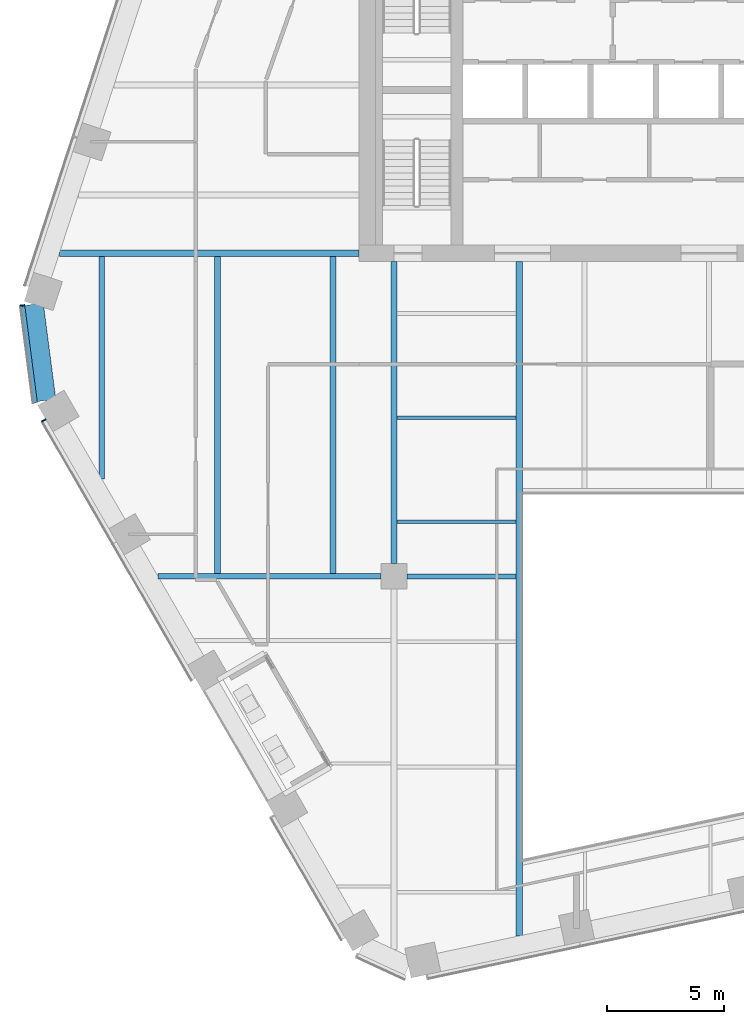
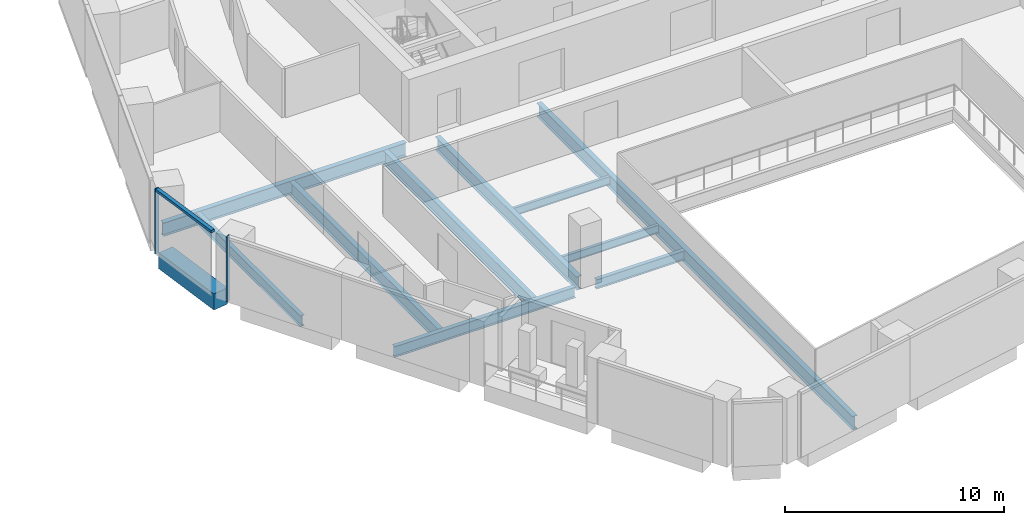
# One storey, part 4 of 26: 11 beams, 3 members, 2 elements without a shape of their own.
"""IFC4 building model written with IfcOpenShell, lengths in metres."""

import ifcopenshell
import ifcopenshell.guid

model = None  # the IFC model being written
_history = None  # IfcOwnerHistory: only IFC2X3 demands one
_inside = {}  # id of a spatial element -> (the spatial element, [elements in it])
_under = {}  # id of a project, library or spatial element -> (it, [spatial elements below it])
_declared = {}  # id of a project -> (the project, [libraries it declares])
_typed = {}  # id of a type object -> (the type object, [elements of that type])
_made_of = {}  # id of a material, layer set ... -> (it, [elements and type objects made of it])


def new_model(schema):
    """Start an empty IFC model of exactly this schema.

    Asked for "IFC4X3", IfcOpenShell would pick the latest addendum, in which some entities
    have other attributes; the version numbers below select the first issue.
    IFC2X3 requires an IfcOwnerHistory on every rooted entity: one is made here for all.
    """
    global model, _history
    if schema == "IFC4X3":
        model = ifcopenshell.file(schema_version=(4, 3, 0, 0))
    else:
        model = ifcopenshell.file(schema=schema)
    _inside.clear()
    _under.clear()
    _declared.clear()
    _typed.clear()
    _made_of.clear()
    _history = None
    if model.schema == "IFC2X3":
        org = make("IfcOrganization", Name="unknown")
        user = make(
            "IfcPersonAndOrganization",
            ThePerson=make("IfcPerson", FamilyName="unknown"),
            TheOrganization=org,
        )
        app = make(
            "IfcApplication",
            ApplicationDeveloper=org,
            Version="unknown",
            ApplicationFullName="unknown",
            ApplicationIdentifier="unknown",
        )
        _history = make(
            "IfcOwnerHistory",
            OwningUser=user,
            OwningApplication=app,
            ChangeAction="ADDED",
            CreationDate=0,
        )
    return model


def make(cls, **values):
    """One entity of the class cls with the attributes given. An attribute that is None is left unset."""
    return model.create_entity(
        cls, **{name: value for name, value in values.items() if value is not None}
    )


def rooted(cls, **values):
    """An entity with a GlobalId (a new one), such as an element, a storey or a relation."""
    return make(cls, GlobalId=ifcopenshell.guid.new(), OwnerHistory=_history, **values)


def si_unit(unit_type, name, prefix=None):
    """IfcSIUnit, for example si_unit("LENGTHUNIT", "METRE", prefix="MILLI")."""
    return make("IfcSIUnit", UnitType=unit_type, Prefix=prefix, Name=name)


def assignment(units):
    """IfcUnitAssignment: the units of a project."""
    return None if units is None else make("IfcUnitAssignment", Units=units)


def point(xyz):
    """IfcCartesianPoint."""
    return None if xyz is None else make("IfcCartesianPoint", Coordinates=xyz)


def direction(xyz):
    """IfcDirection."""
    return None if xyz is None else make("IfcDirection", DirectionRatios=xyz)


def frame(location, z_axis=None, x_axis=None):
    """IfcAxis2Placement3D, a coordinate frame: its origin and axes. An axis left out is left unset."""
    return make(
        "IfcAxis2Placement3D",
        Location=point(location),
        Axis=direction(z_axis),
        RefDirection=direction(x_axis),
    )


def frame_2d(location, x_axis=None):
    """IfcAxis2Placement2D, a coordinate frame in the plane: its origin and x axis."""
    return make(
        "IfcAxis2Placement2D", Location=point(location), RefDirection=direction(x_axis)
    )


def origin():
    """The frame at (0, 0, 0) with its axes left unset."""
    return frame((0.0, 0.0, 0.0))


def origin_2d():
    """The frame at (0, 0) in the plane with its x axis left unset."""
    return frame_2d((0.0, 0.0))


def place(relative_to, where):
    """IfcLocalPlacement: puts the frame where relative to a parent placement (None: the world)."""
    return make(
        "IfcLocalPlacement", PlacementRelTo=relative_to, RelativePlacement=where
    )


def context(
    kind, dimensions, precision=None, world=None, true_north=None, identifier=None
):
    """IfcGeometricRepresentationContext, for example the 3D "Model" context."""
    return make(
        "IfcGeometricRepresentationContext",
        ContextIdentifier=identifier,
        ContextType=kind,
        CoordinateSpaceDimension=dimensions,
        Precision=precision,
        WorldCoordinateSystem=world,
        TrueNorth=true_north,
    )


def subcontext(parent, identifier, kind, view, scale=None):
    """IfcGeometricRepresentationSubContext, for example "Body" below "Model"."""
    return make(
        "IfcGeometricRepresentationSubContext",
        ContextIdentifier=identifier,
        ContextType=kind,
        ParentContext=parent,
        TargetScale=scale,
        TargetView=view,
    )


def project(units=None, contexts=None):
    """IfcProject with its units and contexts."""
    return rooted(
        "IfcProject",
        Name="project",
        RepresentationContexts=contexts,
        UnitsInContext=assignment(units),
    )


def spatial(cls, under=None, at=None, **own):
    """A site, building, storey or space (cls), placed at a placement, below another one or the project."""
    s = rooted(cls, ObjectPlacement=at, **own)
    if under is not None:
        _under.setdefault(under.id(), (under, []))[1].append(s)
    return s


def profile(cls, at=None, kind="AREA", **sizes):
    """A parametric profile (cls). Its sizes go by their IFC names, for example OverallWidth=200.0."""
    return make(cls, ProfileType=kind, Position=at, **sizes)


def rectangle(**sizes):
    """IfcRectangleProfileDef."""
    return profile("IfcRectangleProfileDef", **sizes)


def i_section(**sizes):
    """IfcIShapeProfileDef."""
    return profile("IfcIShapeProfileDef", **sizes)


def extrude(swept, where, along, depth):
    """IfcExtrudedAreaSolid: the profile swept, set in the frame where, extruded along a direction by depth."""
    return make(
        "IfcExtrudedAreaSolid",
        SweptArea=swept,
        Position=where,
        ExtrudedDirection=direction(along),
        Depth=depth,
    )


def shape(context_of_items, identifier, shape_type, items):
    """IfcShapeRepresentation: the items that make up one representation, for example the "Body"."""
    return make(
        "IfcShapeRepresentation",
        ContextOfItems=context_of_items,
        RepresentationIdentifier=identifier,
        RepresentationType=shape_type,
        Items=items,
    )


def material(Name=None, Category=None):
    """IfcMaterial."""
    return make("IfcMaterial", Name=Name, Category=Category)


def layer(
    of_material, thickness, ventilated=None, Name=None, Category=None, Priority=None
):
    """IfcMaterialLayer: one layer of a wall or slab, of a material (None: an air gap)."""
    return make(
        "IfcMaterialLayer",
        Material=of_material,
        LayerThickness=thickness,
        IsVentilated=ventilated,
        Name=Name,
        Category=Category,
        Priority=Priority,
    )


def layer_set(layers, Name=None):
    """IfcMaterialLayerSet."""
    return make("IfcMaterialLayerSet", MaterialLayers=layers, LayerSetName=Name)


def material_profile(
    of_material, cross_section, Name=None, Category=None, Priority=None
):
    """IfcMaterialProfile: a cross section and its material."""
    return make(
        "IfcMaterialProfile",
        Name=Name,
        Material=of_material,
        Profile=cross_section,
        Priority=Priority,
        Category=Category,
    )


def profile_set(profiles, Name=None, composite=None):
    """IfcMaterialProfileSet."""
    return make(
        "IfcMaterialProfileSet",
        Name=Name,
        MaterialProfiles=profiles,
        CompositeProfile=composite,
    )


def made_of(thing, what):
    """Note that an element or type object is made of a material, layer set ...; save() writes the relation."""
    if what is not None:
        _made_of.setdefault(what.id(), (what, []))[1].append(thing)
    return thing


def type_object(cls, material=None, **own):
    """A type object (cls), such as IfcWallType, which elements share."""
    return made_of(rooted(cls, **own), material)


def element(
    cls,
    number,
    at=None,
    inside=None,
    cuts=None,
    type_object=None,
    material=None,
    context=None,
    identifier="Body",
    shape_type=None,
    held_by="IfcProductDefinitionShape",
    body=None,
    shapes=None,
    **own,
):
    """One element of the class cls, such as IfcWall. Its Tag is "e" and its number.

    at: its placement. inside: the storey or other place that contains it. cuts: it is an
    opening in that element (IfcRelVoidsElement). A single representation is given by context,
    identifier, shape_type and body (its items); several are given by shapes. held_by: the class
    of the entity that holds the representations. save() writes the other relations.
    """
    e = rooted(cls, Tag="e%d" % number, ObjectPlacement=at, **own)
    if body is not None:
        shapes = [shape(context, identifier, shape_type, body)]
    if shapes is not None:
        e.Representation = make(held_by, Representations=shapes)
    if inside is not None:
        _inside.setdefault(inside.id(), (inside, []))[1].append(e)
    if cuts is not None:
        rooted(
            "IfcRelVoidsElement", RelatingBuildingElement=cuts, RelatedOpeningElement=e
        )
    if type_object is not None:
        _typed.setdefault(type_object.id(), (type_object, []))[1].append(e)
    return made_of(e, material)


def aggregate(whole, parts):
    """IfcRelAggregates: a whole, such as a stair, and the parts it consists of."""
    return rooted("IfcRelAggregates", RelatingObject=whole, RelatedObjects=parts)


def save(model, path):
    """Write the relations noted so far, then the file.

    IfcRelAggregates (storeys below a building ...), IfcRelContainedInSpatialStructure (elements
    in a storey), IfcRelDefinesByType, IfcRelAssociatesMaterial and IfcRelDeclares: one each for
    every whole, place, type object, material and project.
    """
    for whole, parts in _under.values():
        aggregate(whole, parts)
    for where, things in _inside.values():
        rooted(
            "IfcRelContainedInSpatialStructure",
            RelatedElements=things,
            RelatingStructure=where,
        )
    for kind, things in _typed.values():
        rooted("IfcRelDefinesByType", RelatedObjects=things, RelatingType=kind)
    for what, things in _made_of.values():
        rooted("IfcRelAssociatesMaterial", RelatedObjects=things, RelatingMaterial=what)
    for by, libraries in _declared.values():
        rooted("IfcRelDeclares", RelatingContext=by, RelatedDefinitions=libraries)
    model.write(path)


model = new_model("IFC4")

# Units and contexts
model_context = context("Model", 3, precision=1e-05, world=origin(), true_north=direction((0.0, 1.0)))
body_context = subcontext(model_context, "Body", "Model", "MODEL_VIEW")
ifc_project = project(units=[si_unit("LENGTHUNIT", "METRE"), si_unit("AREAUNIT", "SQUARE_METRE"), si_unit("VOLUMEUNIT", "CUBIC_METRE"), si_unit("PLANEANGLEUNIT", "RADIAN"), si_unit("MASSUNIT", "GRAM", prefix="KILO")], contexts=[model_context])

# Site, building, storey
site_placement = place(None, origin())
site = spatial("IfcSite", under=ifc_project, at=site_placement, CompositionType="ELEMENT")
building_placement = place(site_placement, origin())
building = spatial("IfcBuilding", under=site, at=building_placement, Name="Isthmus Gate Tower", CompositionType="ELEMENT")
storey_placement = place(building_placement, frame((0.0, 0.0, 189.050048828125)))
storey = spatial("IfcBuildingStorey", under=building, at=storey_placement, Name="L47", CompositionType="ELEMENT", Elevation=189.050048828125)

# Curtain wall, member
ifc_material_1 = material(Name="Aluminium, pale champagne anodised", Category="aluminium")
ifc_layer = layer(ifc_material_1, 0.199951171875)
ifc_layer_set = layer_set([ifc_layer], Name="CW-1 UNITISED CURTAIN WALL 200 DEEP")
curtain_wall_type = type_object("IfcCurtainWallType", Name="CW-1 UNITISED CURTAIN WALL 200 DEEP", PredefinedType="NOTDEFINED", material=ifc_layer_set)
curtain_wall_1_placement = place(storey_placement, origin())
curtain_wall_1 = element("IfcCurtainWall", 1, at=curtain_wall_1_placement, inside=storey, type_object=curtain_wall_type, Name="CW-1 NW-SW L47", PredefinedType="NOTDEFINED")
ifc_material_2 = material(Name="Aluminium, pale champagne anodised", Category="aluminium")
ifc_material_profile_1 = material_profile(ifc_material_2, rectangle(XDim=0.06005859375, YDim=0.199951171875, at=origin_2d()), Name="60x200")
ifc_profile_set_1 = profile_set([ifc_material_profile_1], Name="Aluminium, pale champagne anodised")
member_type_1 = type_object("IfcMemberType", Name="CW-1 MULLION 60 X 200", PredefinedType="MULLION", material=ifc_profile_set_1)
member_1_placement = place(storey_placement, frame((-29.42724609375, -1.88525390625, 0.0), z_axis=(0.0, 0.0, 1.0), x_axis=(0.129164534, -0.991623175988, 0.0)))
member_1 = element("IfcMember", 2, at=member_1_placement, type_object=member_type_1, Name="CW-1 mullion", PredefinedType="MULLION", context=body_context, shape_type="SweptSolid", body=[
    extrude(rectangle(XDim=0.06005859375, YDim=0.199951171875, at=origin_2d()), origin(), (0.0, 0.0, 1.0), 3.64990234375),
])

curtain_wall_2_placement = place(storey_placement, origin())
curtain_wall_2 = element("IfcCurtainWall", 3, at=curtain_wall_2_placement, inside=storey, type_object=curtain_wall_type, Name="CW-1 SW L47", PredefinedType="NOTDEFINED")
member_2_placement = place(storey_placement, frame((-28.5146484375, -6.811279296875, 0.0), z_axis=(0.0, 0.0, 1.0), x_axis=(0.5, -0.866025403784, 0.0)))
member_2 = element("IfcMember", 4, at=member_2_placement, type_object=member_type_1, Name="CW-1 mullion", PredefinedType="MULLION", context=body_context, shape_type="SweptSolid", body=[
    extrude(rectangle(XDim=0.06005859375, YDim=0.199951171875, at=origin_2d()), origin(), (0.0, 0.0, 1.0), 3.64990234375),
])
aggregate(curtain_wall_2, [member_2])

# Member
ifc_material_3 = material(Name="Aluminium, pale champagne anodised", Category="aluminium")
ifc_material_profile_2 = material_profile(ifc_material_3, rectangle(XDim=0.199951171875, YDim=0.139892578125, at=origin_2d()), Name="200x140")
ifc_profile_set_2 = profile_set([ifc_material_profile_2], Name="Aluminium, pale champagne anodised")
member_type_2 = type_object("IfcMemberType", Name="CW-1 TRANSOM 200 X 140", PredefinedType="USERDEFINED", material=ifc_profile_set_2)
member_3_placement = place(storey_placement, frame((-29.42333984375, -1.9150390625, 3.579833984375), z_axis=(0.129149481977, -0.991625136483, 0.0), x_axis=(0.991625136483, 0.129149481977, 0.0)))
member_3 = element("IfcMember", 5, at=member_3_placement, type_object=member_type_2, Name="CW-1 transom", ObjectType="TRANSOM", PredefinedType="USERDEFINED", context=body_context, shape_type="SweptSolid", body=[
    extrude(rectangle(XDim=0.199951171875, YDim=0.139892578125, at=origin_2d()), origin(), (0.0, 0.0, 1.0), 4.181396484375),
])

aggregate(curtain_wall_1, [member_1, member_3])

# Beams
ifc_material_4 = material(Name="Concrete f'c 60 MPa", Category="concrete")
ifc_material_profile_3 = material_profile(ifc_material_4, rectangle(XDim=0.800048828125, YDim=0.89990234375, at=origin_2d()), Name="RC 800X900")
ifc_profile_set_3 = profile_set([ifc_material_profile_3], Name="Concrete f'c 60 MPa")
beam_type_1 = type_object("IfcBeamType", Name="RC SPANDREL 800 X 900", PredefinedType="SPANDREL", material=ifc_profile_set_3)
beam_1_placement = place(storey_placement, frame((-28.392822265625, -5.955810546875, -0.449951171875), z_axis=(-0.129170777359, 0.991622362735, 0.0), x_axis=(-0.991622362735, -0.129170777359, 0.0)))
element("IfcBeam", 6, at=beam_1_placement, inside=storey, type_object=beam_type_1, Name="str-spandrel-L47-20", PredefinedType="SPANDREL", context=body_context, shape_type="SweptSolid", body=[
    extrude(rectangle(XDim=0.800048828125, YDim=0.89990234375, at=origin_2d()), origin(), (0.0, 0.0, 1.0), 4.15234375),
])
ifc_material_5 = material(Name="Structural steel ASTM A992 Gr 50", Category="steel")
ifc_material_profile_4 = material_profile(ifc_material_5, i_section(OverallWidth=0.15234375, OverallDepth=0.45068359375, WebThickness=0.0078125, FlangeThickness=0.010986328125, at=origin_2d()), Name="W18X35")
ifc_profile_set_4 = profile_set([ifc_material_profile_4], Name="Structural steel ASTM A992 Gr 50")
beam_type_2 = type_object("IfcBeamType", Name="STEEL FLOOR BEAM W18X35", PredefinedType="JOIST", material=ifc_profile_set_4)
for number, where, z_axis, x_axis, name in (
    (7, (-13.3681640625, -11.16259765625, -0.37548828125), (1.0, 0.0, 0.0), (0.0, 1.0, 0.0), "str-beam-L47-06-00"),
    (8, (-13.3681640625, -6.697509765625, -0.37548828125), (1.0, 0.0, 0.0), (0.0, 1.0, 0.0), "str-beam-L47-06-01"),
):
    element("IfcBeam", number, at=place(storey_placement, frame(where, z_axis=z_axis, x_axis=x_axis)), inside=storey, type_object=beam_type_2, Name=name, PredefinedType="JOIST", context=body_context, shape_type="SweptSolid", body=[
        extrude(i_section(OverallWidth=0.15234375, OverallDepth=0.45068359375, WebThickness=0.0078125, FlangeThickness=0.010986328125, at=origin_2d()), origin(), (0.0, 0.0, 1.0), 5.1015625),
    ])
ifc_material_6 = material(Name="Structural steel ASTM A992 Gr 50", Category="steel")
ifc_material_profile_5 = material_profile(ifc_material_6, i_section(OverallWidth=0.228515625, OverallDepth=0.603271484375, WebThickness=0.010986328125, FlangeThickness=0.014404296875, at=origin_2d()), Name="W24X68")
ifc_profile_set_5 = profile_set([ifc_material_profile_5], Name="Structural steel ASTM A992 Gr 50")
beam_type_3 = type_object("IfcBeamType", Name="STEEL FLOOR BEAM W24X68", PredefinedType="JOIST", material=ifc_profile_set_5)
beam_2_placement = place(storey_placement, frame((-26.028564453125, -9.317138671875, -0.45166015625), z_axis=(0.0, 1.0, 0.0), x_axis=(-1.0, 0.0, 0.0)))
element("IfcBeam", 9, at=beam_2_placement, inside=storey, type_object=beam_type_3, Name="str-beam-L47-01-00", PredefinedType="JOIST", context=body_context, shape_type="SweptSolid", body=[
    extrude(i_section(OverallWidth=0.228515625, OverallDepth=0.603271484375, WebThickness=0.010986328125, FlangeThickness=0.014404296875, at=origin_2d()), origin(), (0.0, 0.0, 1.0), 9.535400390625),
])
ifc_material_7 = material(Name="Structural steel ASTM A992 Gr 50", Category="steel")
ifc_material_profile_6 = material_profile(ifc_material_7, i_section(OverallWidth=0.263427734375, OverallDepth=0.749267578125, WebThickness=0.0126953125, FlangeThickness=0.015869140625, at=origin_2d()), Name="W30X90")
ifc_profile_set_6 = profile_set([ifc_material_profile_6], Name="Structural steel ASTM A992 Gr 50")
beam_type_4 = type_object("IfcBeamType", Name="STEEL FLOOR BEAM W30X90", PredefinedType="JOIST", material=ifc_profile_set_6)
for number, where, z_axis, x_axis, name in (
    (10, (-21.06982421875, -13.3857421875, -0.524658203125), (0.0, 1.0, 0.0), (-1.0, 0.0, 0.0), "str-beam-L47-01-01"),
    (11, (-16.111083984375, -13.3857421875, -0.524658203125), (0.0, 1.0, 0.0), (-1.0, 0.0, 0.0), "str-beam-L47-01-02"),
):
    element("IfcBeam", number, at=place(storey_placement, frame(where, z_axis=z_axis, x_axis=x_axis)), inside=storey, type_object=beam_type_4, Name=name, PredefinedType="JOIST", context=body_context, shape_type="SweptSolid", body=[
        extrude(i_section(OverallWidth=0.263427734375, OverallDepth=0.749267578125, WebThickness=0.0126953125, FlangeThickness=0.015869140625, at=origin_2d()), origin(), (0.0, 0.0, 1.0), 13.60400390625),
    ])
ifc_material_8 = material(Name="Structural steel ASTM A992 Gr 50", Category="steel")
ifc_material_profile_7 = material_profile(ifc_material_8, i_section(OverallWidth=0.20947265625, OverallDepth=0.533447265625, WebThickness=0.009521484375, FlangeThickness=0.015869140625, at=origin_2d()), Name="W21X62")
ifc_profile_set_7 = profile_set([ifc_material_profile_7], Name="Structural steel ASTM A992 Gr 50")
beam_type_5 = type_object("IfcBeamType", Name="STEEL GIRDER W21X62", PredefinedType="BEAM", material=ifc_profile_set_7)
beam_3_placement = place(storey_placement, frame((-12.949951171875, -13.5, -0.416748046875), z_axis=(1.0, 0.0, 0.0), x_axis=(0.0, 1.0, 0.0)))
element("IfcBeam", 12, at=beam_3_placement, inside=storey, type_object=beam_type_5, Name="str-girder-L47-02", PredefinedType="BEAM", context=body_context, shape_type="SweptSolid", body=[
    extrude(i_section(OverallWidth=0.20947265625, OverallDepth=0.533447265625, WebThickness=0.009521484375, FlangeThickness=0.015869140625, at=origin_2d()), origin(), (0.0, 0.0, 1.0), 4.683349609375),
])
ifc_material_9 = material(Name="Structural steel ASTM A992 Gr 50", Category="steel")
ifc_material_profile_8 = material_profile(ifc_material_9, i_section(OverallWidth=0.228515625, OverallDepth=0.6064453125, WebThickness=0.010986328125, FlangeThickness=0.017578125, at=origin_2d()), Name="W24X76")
ifc_profile_set_8 = profile_set([ifc_material_profile_8], Name="Structural steel ASTM A992 Gr 50")
beam_type_6 = type_object("IfcBeamType", Name="STEEL GIRDER W24X76", PredefinedType="BEAM", material=ifc_profile_set_8)
beam_4_placement = place(storey_placement, frame((-23.613525390625, -13.5, -0.453369140625), z_axis=(1.0, 0.0, 0.0), x_axis=(0.0, 1.0, 0.0)))
element("IfcBeam", 13, at=beam_4_placement, inside=storey, type_object=beam_type_6, Name="str-girder-L47-01", PredefinedType="BEAM", context=body_context, shape_type="SweptSolid", body=[
    extrude(i_section(OverallWidth=0.228515625, OverallDepth=0.6064453125, WebThickness=0.010986328125, FlangeThickness=0.017578125, at=origin_2d()), origin(), (0.0, 0.0, 1.0), 9.5634765625),
])
ifc_material_10 = material(Name="Structural steel ASTM A992 Gr 50", Category="steel")
ifc_material_profile_9 = material_profile(ifc_material_10, i_section(OverallWidth=0.263427734375, OverallDepth=0.749267578125, WebThickness=0.0126953125, FlangeThickness=0.015869140625, at=origin_2d()), Name="W30X90")
ifc_profile_set_9 = profile_set([ifc_material_profile_9], Name="Structural steel ASTM A992 Gr 50")
beam_type_7 = type_object("IfcBeamType", Name="STEEL GIRDER W30X90", PredefinedType="BEAM", material=ifc_profile_set_9)
beam_5_placement = place(storey_placement, frame((-13.5, -12.949951171875, -0.524658203125), z_axis=(0.0, 1.0, 0.0), x_axis=(-1.0, 0.0, 0.0)))
element("IfcBeam", 14, at=beam_5_placement, inside=storey, type_object=beam_type_7, Name="str-girder-L47-07", PredefinedType="BEAM", context=body_context, shape_type="SweptSolid", body=[
    extrude(i_section(OverallWidth=0.263427734375, OverallDepth=0.749267578125, WebThickness=0.0126953125, FlangeThickness=0.015869140625, at=origin_2d()), origin(), (0.0, 0.0, 1.0), 12.949951171875),
])
beam_6_placement = place(storey_placement, frame((-15.0, 0.35009765625, -0.524658203125), z_axis=(-1.0, 0.0, 0.0), x_axis=(0.0, -1.0, 0.0)))
element("IfcBeam", 15, at=beam_6_placement, inside=storey, type_object=beam_type_7, Name="str-girder-L47-12", PredefinedType="BEAM", context=body_context, shape_type="SweptSolid", body=[
    extrude(i_section(OverallWidth=0.263427734375, OverallDepth=0.749267578125, WebThickness=0.0126953125, FlangeThickness=0.015869140625, at=origin_2d()), origin(), (0.0, 0.0, 1.0), 12.8427734375),
])
ifc_material_11 = material(Name="Structural steel ASTM A992 Gr 50", Category="steel")
ifc_material_profile_10 = material_profile(ifc_material_11, i_section(OverallWidth=0.2666015625, OverallDepth=0.7587890625, WebThickness=0.014404296875, FlangeThickness=0.01904296875, at=origin_2d()), Name="W30X108")
ifc_profile_set_10 = profile_set([ifc_material_profile_10], Name="Structural steel ASTM A992 Gr 50")
beam_type_8 = type_object("IfcBeamType", Name="STEEL TRIMMER W30X108", PredefinedType="BEAM", material=ifc_profile_set_10)
beam_7_placement = place(storey_placement, frame((-8.13330078125, 0.0, -0.529541015625), z_axis=(0.0, -1.0, 0.0), x_axis=(1.0, 0.0, 0.0)))
element("IfcBeam", 16, at=beam_7_placement, inside=storey, type_object=beam_type_8, Name="str-trimmer-L47-02", PredefinedType="BEAM", context=body_context, shape_type="SweptSolid", body=[
    extrude(i_section(OverallWidth=0.2666015625, OverallDepth=0.7587890625, WebThickness=0.014404296875, FlangeThickness=0.01904296875, at=origin_2d()), origin(), (0.0, 0.0, 1.0), 28.910888671875),
])

save(model, "model.ifc")
